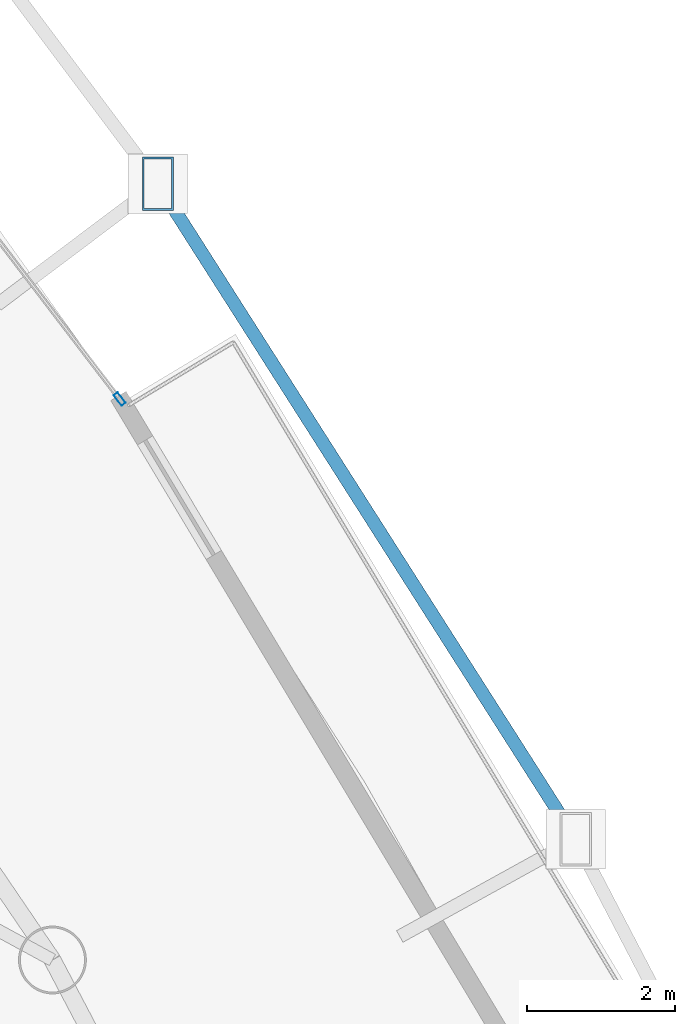
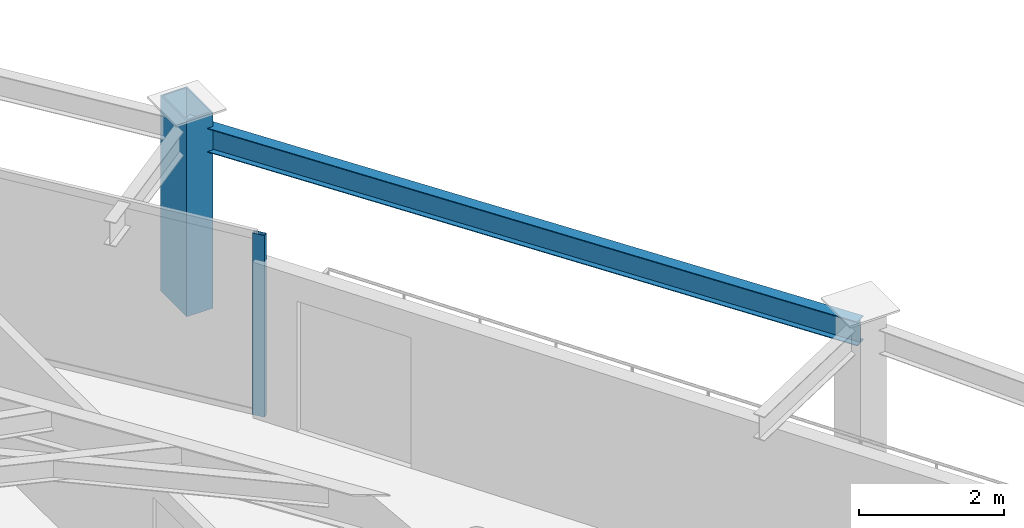
# One storey, part 26 of 33: 2 members, 1 beam, 1 element without a shape of its own.
"""IFC4 building model written with IfcOpenShell, lengths in metres."""

from ifc_helpers import new_model, si_unit, direction, frame, origin, origin_2d, place, context, subcontext, project, spatial, hollow_rectangle, i_section, extrude, material, layer, layer_set, material_profile, profile_set, type_object, element, aggregate, save


model = new_model("IFC4")

# Units and contexts
model_context = context("Model", 3, precision=1e-05, world=origin(), true_north=direction((0.0, 1.0)))
body_context = subcontext(model_context, "Body", "Model", "MODEL_VIEW")
ifc_project = project(units=[si_unit("LENGTHUNIT", "METRE"), si_unit("AREAUNIT", "SQUARE_METRE"), si_unit("VOLUMEUNIT", "CUBIC_METRE"), si_unit("PLANEANGLEUNIT", "RADIAN"), si_unit("MASSUNIT", "GRAM", prefix="KILO")], contexts=[model_context])

# Site, building, storey
site_placement = place(None, origin())
site = spatial("IfcSite", under=ifc_project, at=site_placement, CompositionType="ELEMENT")
building_placement = place(site_placement, origin())
building = spatial("IfcBuilding", under=site, at=building_placement, Name="Orvanel Arch Residences", CompositionType="ELEMENT")
storey_placement = place(building_placement, frame((0.0, 0.0, 87.35009765625)))
storey = spatial("IfcBuildingStorey", under=building, at=storey_placement, Name="L24", CompositionType="ELEMENT", Elevation=87.35009765625)

# Member
ifc_material_1 = material(Name="Structural steel AS/NZS 3678 Grade 350", Category="steel")
ifc_material_profile_1 = material_profile(ifc_material_1, hollow_rectangle(XDim=0.419921875, YDim=0.719970703125, WallThickness=0.02490234375, at=origin_2d()), Name="RHS720x420x25")
ifc_profile_set_1 = profile_set([ifc_material_profile_1], Name="Structural steel AS/NZS 3678 Grade 350")
member_type_1 = type_object("IfcMemberType", Name="CH-720RHS-EXT", PredefinedType="CHORD", material=ifc_profile_set_1)
member_1_placement = place(storey_placement, frame((46.85205078125, 38.096923828125, 0.0), z_axis=(0.0, 0.0, 1.0), x_axis=(1.0, 0.0, 0.0)))
element("IfcMember", 1, at=member_1_placement, inside=storey, type_object=member_type_1, Name="L24 Outer Perimeter Frame Post 11", PredefinedType="CHORD", context=body_context, shape_type="SweptSolid", body=[
    extrude(hollow_rectangle(XDim=0.419921875, YDim=0.719970703125, WallThickness=0.02490234375, at=origin_2d()), origin(), (0.0, 0.0, 1.0), 3.2998046875),
])

# Curtain wall, member
ifc_material_2 = material(Name="Bronze-anodised aluminium AA6063-T6", Category="aluminium")
ifc_layer = layer(ifc_material_2, 0.179931640625)
ifc_layer_set = layer_set([ifc_layer], Name="Bronze-anodised aluminium AA6063-T6")
curtain_wall_type = type_object("IfcCurtainWallType", Name="CW2-LOW-SYS", PredefinedType="NOTDEFINED", material=ifc_layer_set)
curtain_wall_placement = place(storey_placement, origin())
curtain_wall = element("IfcCurtainWall", 2, at=curtain_wall_placement, inside=storey, type_object=curtain_wall_type, Name="L24 CW2-LOW-SYS Unitised Curtain Wall", PredefinedType="NOTDEFINED")
ifc_material_profile_2 = material_profile(ifc_material_2, hollow_rectangle(XDim=0.070068359375, YDim=0.179931640625, WallThickness=0.00439453125, at=origin_2d()), Name="ALU180x70x4.5")
ifc_profile_set_2 = profile_set([ifc_material_profile_2], Name="Bronze-anodised aluminium AA6063-T6")
member_type_2 = type_object("IfcMemberType", Name="MUL-180x70", PredefinedType="MULLION", material=ifc_profile_set_2)
member_2_placement = place(storey_placement, frame((46.336669921875, 35.19873046875, 0.0), z_axis=(0.0, 0.0, 1.0), x_axis=(-0.794618292381, -0.607109355399, 0.0)))
member_2 = element("IfcMember", 3, at=member_2_placement, type_object=member_type_2, Name="CW-S2 mullion 1", PredefinedType="MULLION", context=body_context, shape_type="SweptSolid", body=[
    extrude(hollow_rectangle(XDim=0.070068359375, YDim=0.179931640625, WallThickness=0.00439453125, at=origin_2d()), origin(), (0.0, 0.0, 1.0), 3.059814453125),
])
aggregate(curtain_wall, [member_2])

# Beam
ifc_material_3 = material(Name="Structural steel AS/NZS 3679.1 Grade 300 (300 MPa)", Category="steel")
ifc_material_profile_3 = material_profile(ifc_material_3, i_section(OverallWidth=0.177978515625, OverallDepth=0.406005859375, WebThickness=0.0078125, FlangeThickness=0.0126953125, at=origin_2d()), Name="410UB59.7")
ifc_profile_set_3 = profile_set([ifc_material_profile_3], Name="Structural steel AS/NZS 3679.1 Grade 300 (300 MPa)")
beam_type = type_object("IfcBeamType", Name="OB-410UB-EXT", PredefinedType="SPANDREL", material=ifc_profile_set_3)
beam_placement = place(storey_placement, frame((52.48095703125, 29.26708984375, 2.85693359375), z_axis=(-0.537549671561, 0.843232085849, 0.0), x_axis=(-0.843232085849, -0.537549671561, 0.0)))
element("IfcBeam", 4, at=beam_placement, inside=storey, type_object=beam_type, Name="L24 Outer Perimeter Floor Ring Beam 10", PredefinedType="SPANDREL", context=body_context, shape_type="SweptSolid", body=[
    extrude(i_section(OverallWidth=0.177978515625, OverallDepth=0.406005859375, WebThickness=0.0078125, FlangeThickness=0.0126953125, at=origin_2d()), origin(), (0.0, 0.0, 1.0), 10.471435546875),
])

save(model, "model.ifc")
